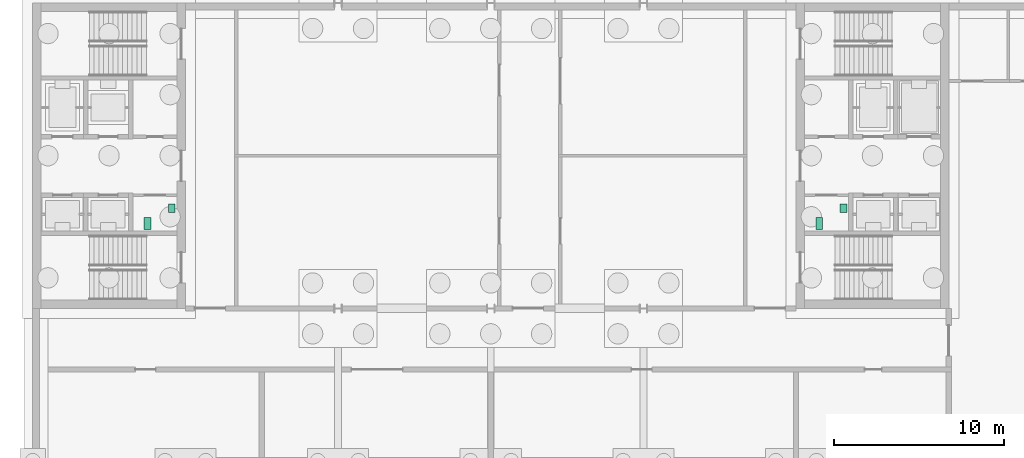
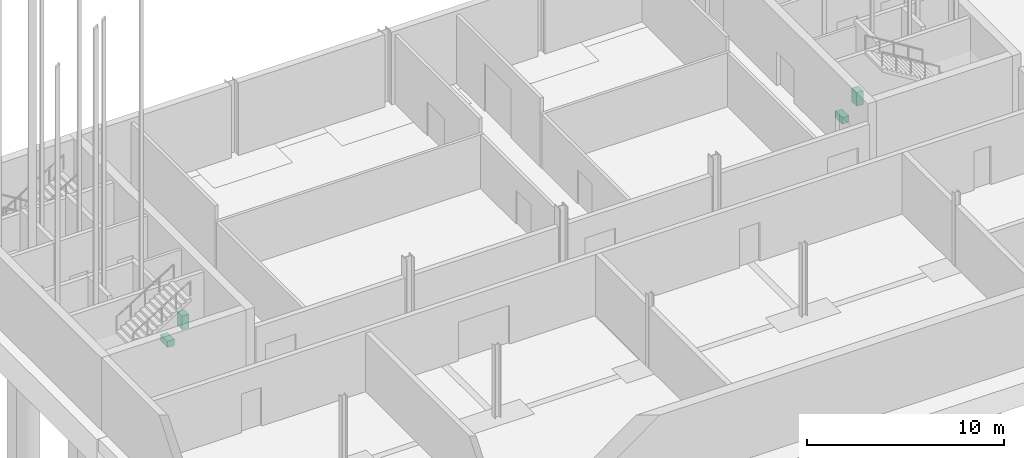
# One storey, part 40 of 41: 4 sanitary terminals.
"""IFC4 building model written with IfcOpenShell, lengths in metres."""

from ifc_helpers import new_model, si_unit, direction, frame, origin, origin_2d, place, context, subcontext, project, spatial, rectangle, extrude, element, save


model = new_model("IFC4")

# Units and contexts
model_context = context("Model", 3, precision=1e-05, world=origin(), true_north=direction((0.0, 1.0)))
body_context = subcontext(model_context, "Body", "Model", "MODEL_VIEW")
ifc_project = project(units=[si_unit("LENGTHUNIT", "METRE"), si_unit("AREAUNIT", "SQUARE_METRE"), si_unit("VOLUMEUNIT", "CUBIC_METRE"), si_unit("PLANEANGLEUNIT", "RADIAN"), si_unit("MASSUNIT", "GRAM", prefix="KILO")], contexts=[model_context])

# Site, building, storey
site_placement = place(None, origin())
site = spatial("IfcSite", under=ifc_project, at=site_placement, CompositionType="ELEMENT")
building_placement = place(site_placement, origin())
building = spatial("IfcBuilding", under=site, at=building_placement, Name="Corbel Yard City Hall", CompositionType="ELEMENT")
storey_placement = place(building_placement, frame((0.0, 0.0, -4.5)))
storey = spatial("IfcBuildingStorey", under=building, at=storey_placement, Name="B1", CompositionType="ELEMENT", Elevation=-4.5)

# Sanitary terminals
sanitary_terminal_1_placement = place(storey_placement, frame((46.36669921875, 104.0, 0.0), z_axis=(0.0, 0.0, 1.0), x_axis=(1.0, 0.0, 0.0)))
element("IfcSanitaryTerminal", 1, at=sanitary_terminal_1_placement, inside=storey, Name="Water closet", PredefinedType="TOILETPAN", context=body_context, shape_type="SweptSolid", body=[
    extrude(rectangle(XDim=0.39990234375, YDim=0.699951171875, at=origin_2d()), origin(), (0.0, 0.0, 1.0), 0.39990234375),
])
sanitary_terminal_2_placement = place(storey_placement, frame((47.800048828125, 104.89990234375, 0.0), z_axis=(0.0, 0.0, 1.0), x_axis=(1.0, 0.0, 0.0)))
element("IfcSanitaryTerminal", 2, at=sanitary_terminal_2_placement, inside=storey, Name="Wash basin", PredefinedType="WASHHANDBASIN", context=body_context, shape_type="SweptSolid", body=[
    extrude(rectangle(XDim=0.39990234375, YDim=0.5, at=origin_2d()), origin(), (0.0, 0.0, 1.0), 0.85009765625),
])
sanitary_terminal_3_placement = place(storey_placement, frame((6.7666015625, 104.0, 0.0), z_axis=(0.0, 0.0, 1.0), x_axis=(1.0, 0.0, 0.0)))
element("IfcSanitaryTerminal", 3, at=sanitary_terminal_3_placement, inside=storey, Name="Water closet", PredefinedType="TOILETPAN", context=body_context, shape_type="SweptSolid", body=[
    extrude(rectangle(XDim=0.39990234375, YDim=0.699951171875, at=origin_2d()), origin(), (0.0, 0.0, 1.0), 0.39990234375),
])
sanitary_terminal_4_placement = place(storey_placement, frame((8.199951171875, 104.89990234375, 0.0), z_axis=(0.0, 0.0, 1.0), x_axis=(1.0, 0.0, 0.0)))
element("IfcSanitaryTerminal", 4, at=sanitary_terminal_4_placement, inside=storey, Name="Wash basin", PredefinedType="WASHHANDBASIN", context=body_context, shape_type="SweptSolid", body=[
    extrude(rectangle(XDim=0.39990234375, YDim=0.5, at=origin_2d()), origin(), (0.0, 0.0, 1.0), 0.85009765625),
])

save(model, "model.ifc")
